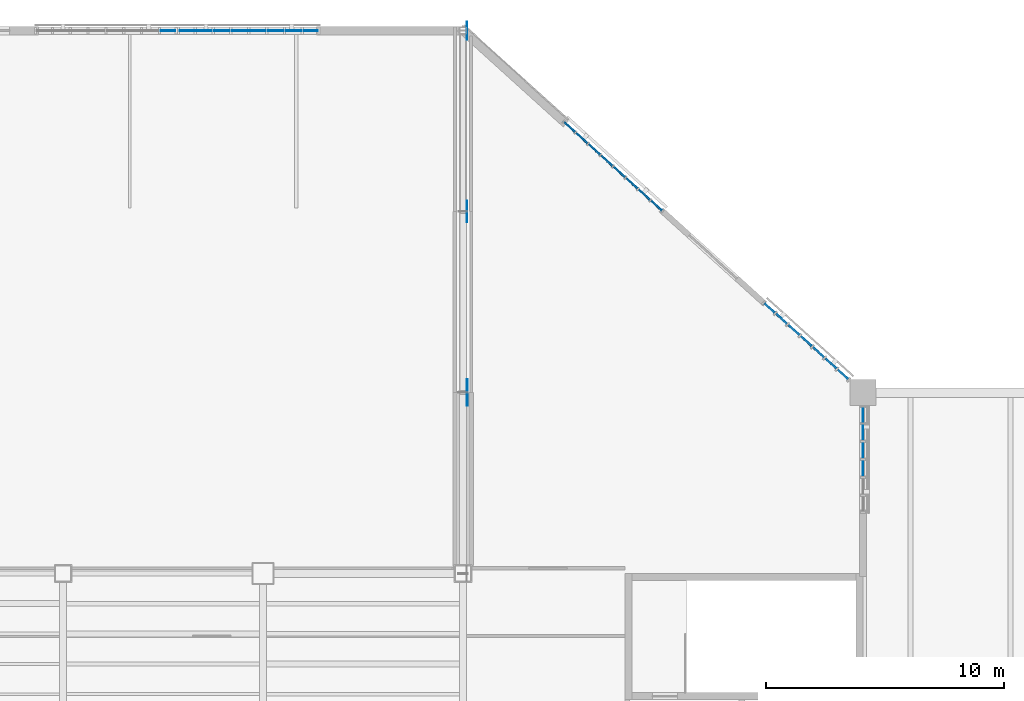
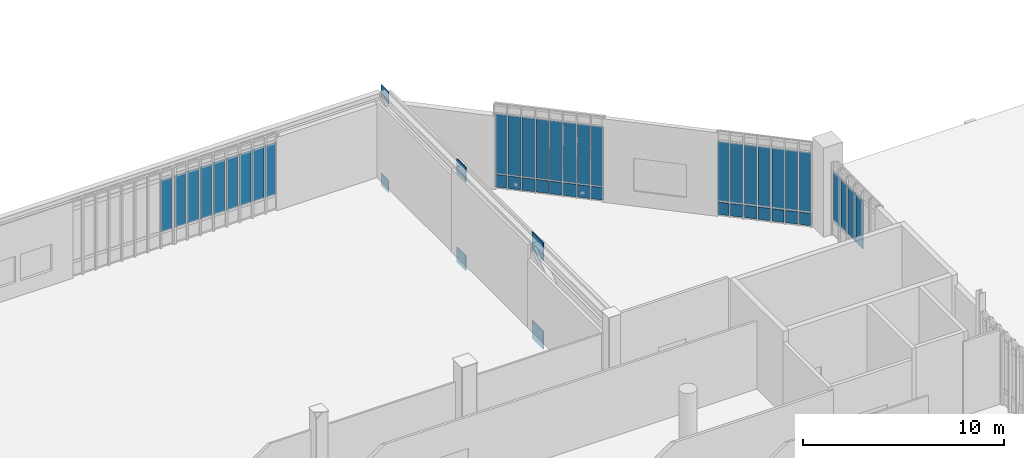
# One storey, part 84 of 135: 49 plates, 5 elements without a shape of their own.
"""IFC4 building model written with IfcOpenShell, lengths in metres."""

from ifc_helpers import new_model, si_unit, direction, frame, origin, origin_2d, place, context, subcontext, project, spatial, rectangle, extrude, material, layer, layer_set, type_object, element, aggregate, save


model = new_model("IFC4")

# Units and contexts
model_context = context("Model", 3, precision=1e-05, world=origin(), true_north=direction((0.0, 1.0)))
body_context = subcontext(model_context, "Body", "Model", "MODEL_VIEW")
ifc_project = project(units=[si_unit("LENGTHUNIT", "METRE"), si_unit("AREAUNIT", "SQUARE_METRE"), si_unit("VOLUMEUNIT", "CUBIC_METRE"), si_unit("PLANEANGLEUNIT", "RADIAN"), si_unit("MASSUNIT", "GRAM", prefix="KILO")], contexts=[model_context])

# Site, building, storey
site_placement = place(None, origin())
site = spatial("IfcSite", under=ifc_project, at=site_placement, CompositionType="ELEMENT")
building_placement = place(site_placement, origin())
building = spatial("IfcBuilding", under=site, at=building_placement, Name="Larkvane Passage Sports Hall", CompositionType="ELEMENT")
storey_placement = place(building_placement, frame((0.0, 0.0, 16.800048828125)))
storey = spatial("IfcBuildingStorey", under=building, at=storey_placement, Name="L03", CompositionType="ELEMENT", Elevation=16.800048828125)

# Curtain wall, plates
ifc_material_1 = material(Name="Thermally broken aluminium and low-E glazing", Category="aluminium")
curtain_wall_type_1 = type_object("IfcCurtainWallType", Name="CW-UNIT-COURT", PredefinedType="USERDEFINED", material=ifc_material_1)
curtain_wall_1_placement = place(storey_placement, origin())
curtain_wall_1 = element("IfcCurtainWall", 1, at=curtain_wall_1_placement, inside=storey, type_object=curtain_wall_type_1, Name="Curtain wall CW5-L03-140", ObjectType="UNITISED CURTAIN WALL", PredefinedType="USERDEFINED")
ifc_material_2 = material(Name="Insulated aluminium spandrel panel", Category="aluminium")
ifc_layer_1 = layer(ifc_material_2, 0.06494140625)
ifc_layer_set_1 = layer_set([ifc_layer_1], Name="Insulated aluminium spandrel panel")
plate_type_1 = type_object("IfcPlateType", Name="CWP-SPD-65", PredefinedType="CURTAIN_PANEL", material=ifc_layer_set_1)
plate_1_placement = place(storey_placement, frame((81.273681640625, 110.3525390625, 0.06005859375), z_axis=(0.0, 0.0, 1.0), x_axis=(0.741535779122, -0.670913323971, 0.0)))
plate_1 = element("IfcPlate", 2, at=plate_1_placement, type_object=plate_type_1, Name="CW-01 panel 1.1", PredefinedType="CURTAIN_PANEL", context=body_context, shape_type="SweptSolid", body=[
    extrude(rectangle(XDim=0.617919921875, YDim=0.06494140625, at=origin_2d()), origin(), (0.0, 0.0, 1.0), 0.760009765625),
])
plate_2_placement = place(storey_placement, frame((81.78759765625, 109.887451171875, 0.06005859375), z_axis=(0.0, 0.0, 1.0), x_axis=(0.741535779122, -0.670913323971, 0.0)))
plate_2 = element("IfcPlate", 3, at=plate_2_placement, type_object=plate_type_1, Name="CW-01 panel 2.1", PredefinedType="CURTAIN_PANEL", context=body_context, shape_type="SweptSolid", body=[
    extrude(rectangle(XDim=0.64794921875, YDim=0.06494140625, at=origin_2d()), origin(), (0.0, 0.0, 1.0), 0.760009765625),
])
plate_3_placement = place(storey_placement, frame((82.3125, 109.41259765625, 0.06005859375), z_axis=(0.0, 0.0, 1.0), x_axis=(0.741535779122, -0.670913323971, 0.0)))
plate_3 = element("IfcPlate", 4, at=plate_3_placement, type_object=plate_type_1, Name="CW-01 panel 3.1", PredefinedType="CURTAIN_PANEL", context=body_context, shape_type="SweptSolid", body=[
    extrude(rectangle(XDim=0.64794921875, YDim=0.06494140625, at=origin_2d()), origin(), (0.0, 0.0, 1.0), 0.760009765625),
])
plate_4_placement = place(storey_placement, frame((82.83740234375, 108.9375, 0.06005859375), z_axis=(0.0, 0.0, 1.0), x_axis=(0.741535779122, -0.670913323971, 0.0)))
plate_4 = element("IfcPlate", 5, at=plate_4_placement, type_object=plate_type_1, Name="CW-01 panel 4.1", PredefinedType="CURTAIN_PANEL", context=body_context, shape_type="SweptSolid", body=[
    extrude(rectangle(XDim=0.64794921875, YDim=0.06494140625, at=origin_2d()), origin(), (0.0, 0.0, 1.0), 0.760009765625),
])
plate_5_placement = place(storey_placement, frame((83.362548828125, 108.46240234375, 0.06005859375), z_axis=(0.0, 0.0, 1.0), x_axis=(0.741535779122, -0.670913323971, 0.0)))
plate_5 = element("IfcPlate", 6, at=plate_5_placement, type_object=plate_type_1, Name="CW-01 panel 5.1", PredefinedType="CURTAIN_PANEL", context=body_context, shape_type="SweptSolid", body=[
    extrude(rectangle(XDim=0.64794921875, YDim=0.06494140625, at=origin_2d()), origin(), (0.0, 0.0, 1.0), 0.760009765625),
])
plate_6_placement = place(storey_placement, frame((83.887451171875, 107.987548828125, 0.06005859375), z_axis=(0.0, 0.0, 1.0), x_axis=(0.741535779122, -0.670913323971, 0.0)))
plate_6 = element("IfcPlate", 7, at=plate_6_placement, type_object=plate_type_1, Name="CW-01 panel 6.1", PredefinedType="CURTAIN_PANEL", context=body_context, shape_type="SweptSolid", body=[
    extrude(rectangle(XDim=0.64794921875, YDim=0.06494140625, at=origin_2d()), origin(), (0.0, 0.0, 1.0), 0.760009765625),
])
plate_7_placement = place(storey_placement, frame((84.41259765625, 107.512451171875, 0.06005859375), z_axis=(0.0, 0.0, 1.0), x_axis=(0.741535779122, -0.670913323971, 0.0)))
plate_7 = element("IfcPlate", 8, at=plate_7_placement, type_object=plate_type_1, Name="CW-01 panel 7.1", PredefinedType="CURTAIN_PANEL", context=body_context, shape_type="SweptSolid", body=[
    extrude(rectangle(XDim=0.64794921875, YDim=0.06494140625, at=origin_2d()), origin(), (0.0, 0.0, 1.0), 0.760009765625),
])
plate_8_placement = place(storey_placement, frame((84.92626953125, 107.047607421875, 0.06005859375), z_axis=(0.0, 0.0, 1.0), x_axis=(0.741535779122, -0.670913323971, 0.0)))
plate_8 = element("IfcPlate", 9, at=plate_8_placement, type_object=plate_type_1, Name="CW-01 panel 8.1", PredefinedType="CURTAIN_PANEL", context=body_context, shape_type="SweptSolid", body=[
    extrude(rectangle(XDim=0.617919921875, YDim=0.06494140625, at=origin_2d()), origin(), (0.0, 0.0, 1.0), 0.760009765625),
])

curtain_wall_type_2 = type_object("IfcCurtainWallType", Name="CW-UNIT-VEIL", PredefinedType="USERDEFINED", material=ifc_material_1)
curtain_wall_2_placement = place(storey_placement, origin())
curtain_wall_2 = element("IfcCurtainWall", 10, at=curtain_wall_2_placement, inside=storey, type_object=curtain_wall_type_2, Name="Curtain wall CW5-L03-141", ObjectType="UNITISED CURTAIN WALL", PredefinedType="USERDEFINED")
ifc_material_3 = material(Name="Mineral-wool insulated spandrel cassette")
ifc_layer_2 = layer(ifc_material_3, 0.0849609375)
ifc_layer_set_2 = layer_set([ifc_layer_2], Name="Mineral-wool insulated spandrel cassette")
plate_type_2 = type_object("IfcPlateType", Name="CWP-SPD-85", PredefinedType="CURTAIN_PANEL", material=ifc_layer_set_2)
plate_9_placement = place(storey_placement, frame((89.672119140625, 102.75390625, 0.06982421875), z_axis=(0.0, 0.0, 1.0), x_axis=(0.741533841653, -0.670915465378, 0.0)))
plate_9 = element("IfcPlate", 11, at=plate_9_placement, type_object=plate_type_2, Name="CW-02 panel 1.1", PredefinedType="CURTAIN_PANEL", context=body_context, shape_type="SweptSolid", body=[
    extrude(rectangle(XDim=0.59375, YDim=0.0849609375, at=origin_2d()), origin(), (0.0, 0.0, 1.0), 0.7451171875),
])
plate_10_placement = place(storey_placement, frame((90.17724609375, 102.296875, 0.06982421875), z_axis=(0.0, 0.0, 1.0), x_axis=(0.741533841653, -0.670915465378, 0.0)))
plate_10 = element("IfcPlate", 12, at=plate_10_placement, type_object=plate_type_2, Name="CW-02 panel 2.1", PredefinedType="CURTAIN_PANEL", context=body_context, shape_type="SweptSolid", body=[
    extrude(rectangle(XDim=0.628662109375, YDim=0.0849609375, at=origin_2d()), origin(), (0.0, 0.0, 1.0), 0.7451171875),
])
plate_11_placement = place(storey_placement, frame((90.6953125, 101.828125, 0.06982421875), z_axis=(0.0, 0.0, 1.0), x_axis=(0.741533841653, -0.670915465378, 0.0)))
plate_11 = element("IfcPlate", 13, at=plate_11_placement, type_object=plate_type_2, Name="CW-02 panel 3.1", PredefinedType="CURTAIN_PANEL", context=body_context, shape_type="SweptSolid", body=[
    extrude(rectangle(XDim=0.628662109375, YDim=0.0849609375, at=origin_2d()), origin(), (0.0, 0.0, 1.0), 0.7451171875),
])
plate_12_placement = place(storey_placement, frame((91.21337890625, 101.359130859375, 0.06982421875), z_axis=(0.0, 0.0, 1.0), x_axis=(0.741533841653, -0.670915465378, 0.0)))
plate_12 = element("IfcPlate", 14, at=plate_12_placement, type_object=plate_type_2, Name="CW-02 panel 4.1", PredefinedType="CURTAIN_PANEL", context=body_context, shape_type="SweptSolid", body=[
    extrude(rectangle(XDim=0.628662109375, YDim=0.0849609375, at=origin_2d()), origin(), (0.0, 0.0, 1.0), 0.7451171875),
])
plate_13_placement = place(storey_placement, frame((91.731689453125, 100.890380859375, 0.06982421875), z_axis=(0.0, 0.0, 1.0), x_axis=(0.741533841653, -0.670915465378, 0.0)))
plate_13 = element("IfcPlate", 15, at=plate_13_placement, type_object=plate_type_2, Name="CW-02 panel 5.1", PredefinedType="CURTAIN_PANEL", context=body_context, shape_type="SweptSolid", body=[
    extrude(rectangle(XDim=0.628662109375, YDim=0.0849609375, at=origin_2d()), origin(), (0.0, 0.0, 1.0), 0.7451171875),
])
plate_14_placement = place(storey_placement, frame((92.249755859375, 100.421630859375, 0.06982421875), z_axis=(0.0, 0.0, 1.0), x_axis=(0.741533841653, -0.670915465378, 0.0)))
plate_14 = element("IfcPlate", 16, at=plate_14_placement, type_object=plate_type_2, Name="CW-02 panel 6.1", PredefinedType="CURTAIN_PANEL", context=body_context, shape_type="SweptSolid", body=[
    extrude(rectangle(XDim=0.628662109375, YDim=0.0849609375, at=origin_2d()), origin(), (0.0, 0.0, 1.0), 0.7451171875),
])
plate_15_placement = place(storey_placement, frame((92.7548828125, 99.964599609375, 0.06982421875), z_axis=(0.0, 0.0, 1.0), x_axis=(0.741533841653, -0.670915465378, 0.0)))
plate_15 = element("IfcPlate", 17, at=plate_15_placement, type_object=plate_type_2, Name="CW-02 panel 7.1", PredefinedType="CURTAIN_PANEL", context=body_context, shape_type="SweptSolid", body=[
    extrude(rectangle(XDim=0.59375, YDim=0.0849609375, at=origin_2d()), origin(), (0.0, 0.0, 1.0), 0.7451171875),
])

# Plate
ifc_material_4 = material(Name="Solar-control low-E double glazing", Category="glass")
ifc_layer_3 = layer(ifc_material_4, 0.028076171875)
ifc_layer_set_3 = layer_set([ifc_layer_3], Name="Solar-control low-E double glazing")
plate_type_3 = type_object("IfcPlateType", Name="CWP-VIS-28", PredefinedType="CURTAIN_PANEL", material=ifc_layer_set_3)
plate_16_placement = place(storey_placement, frame((81.273681640625, 110.3525390625, 0.8798828125), z_axis=(0.0, 0.0, 1.0), x_axis=(0.741535779122, -0.670913323971, 0.0)))
plate_16 = element("IfcPlate", 18, at=plate_16_placement, type_object=plate_type_3, Name="CW-01 panel 1.2", PredefinedType="CURTAIN_PANEL", context=body_context, shape_type="SweptSolid", body=[
    extrude(rectangle(XDim=0.617919921875, YDim=0.028076171875, at=origin_2d()), origin(), (0.0, 0.0, 1.0), 3.610107421875),
])

plate_17_placement = place(storey_placement, frame((81.78759765625, 109.887451171875, 0.8798828125), z_axis=(0.0, 0.0, 1.0), x_axis=(0.741535779122, -0.670913323971, 0.0)))
plate_17 = element("IfcPlate", 19, at=plate_17_placement, type_object=plate_type_3, Name="CW-01 panel 2.2", PredefinedType="CURTAIN_PANEL", context=body_context, shape_type="SweptSolid", body=[
    extrude(rectangle(XDim=0.64794921875, YDim=0.028076171875, at=origin_2d()), origin(), (0.0, 0.0, 1.0), 3.610107421875),
])

plate_18_placement = place(storey_placement, frame((82.3125, 109.41259765625, 0.8798828125), z_axis=(0.0, 0.0, 1.0), x_axis=(0.741535779122, -0.670913323971, 0.0)))
plate_18 = element("IfcPlate", 20, at=plate_18_placement, type_object=plate_type_3, Name="CW-01 panel 3.2", PredefinedType="CURTAIN_PANEL", context=body_context, shape_type="SweptSolid", body=[
    extrude(rectangle(XDim=0.64794921875, YDim=0.028076171875, at=origin_2d()), origin(), (0.0, 0.0, 1.0), 3.610107421875),
])

plate_19_placement = place(storey_placement, frame((82.83740234375, 108.9375, 0.8798828125), z_axis=(0.0, 0.0, 1.0), x_axis=(0.741535779122, -0.670913323971, 0.0)))
plate_19 = element("IfcPlate", 21, at=plate_19_placement, type_object=plate_type_3, Name="CW-01 panel 4.2", PredefinedType="CURTAIN_PANEL", context=body_context, shape_type="SweptSolid", body=[
    extrude(rectangle(XDim=0.64794921875, YDim=0.028076171875, at=origin_2d()), origin(), (0.0, 0.0, 1.0), 3.610107421875),
])

plate_20_placement = place(storey_placement, frame((83.362548828125, 108.46240234375, 0.8798828125), z_axis=(0.0, 0.0, 1.0), x_axis=(0.741535779122, -0.670913323971, 0.0)))
plate_20 = element("IfcPlate", 22, at=plate_20_placement, type_object=plate_type_3, Name="CW-01 panel 5.2", PredefinedType="CURTAIN_PANEL", context=body_context, shape_type="SweptSolid", body=[
    extrude(rectangle(XDim=0.64794921875, YDim=0.028076171875, at=origin_2d()), origin(), (0.0, 0.0, 1.0), 3.610107421875),
])

plate_21_placement = place(storey_placement, frame((83.887451171875, 107.987548828125, 0.8798828125), z_axis=(0.0, 0.0, 1.0), x_axis=(0.741535779122, -0.670913323971, 0.0)))
plate_21 = element("IfcPlate", 23, at=plate_21_placement, type_object=plate_type_3, Name="CW-01 panel 6.2", PredefinedType="CURTAIN_PANEL", context=body_context, shape_type="SweptSolid", body=[
    extrude(rectangle(XDim=0.64794921875, YDim=0.028076171875, at=origin_2d()), origin(), (0.0, 0.0, 1.0), 3.610107421875),
])

plate_22_placement = place(storey_placement, frame((84.41259765625, 107.512451171875, 0.8798828125), z_axis=(0.0, 0.0, 1.0), x_axis=(0.741535779122, -0.670913323971, 0.0)))
plate_22 = element("IfcPlate", 24, at=plate_22_placement, type_object=plate_type_3, Name="CW-01 panel 7.2", PredefinedType="CURTAIN_PANEL", context=body_context, shape_type="SweptSolid", body=[
    extrude(rectangle(XDim=0.64794921875, YDim=0.028076171875, at=origin_2d()), origin(), (0.0, 0.0, 1.0), 3.610107421875),
])

plate_23_placement = place(storey_placement, frame((84.92626953125, 107.047607421875, 0.8798828125), z_axis=(0.0, 0.0, 1.0), x_axis=(0.741535779122, -0.670913323971, 0.0)))
plate_23 = element("IfcPlate", 25, at=plate_23_placement, type_object=plate_type_3, Name="CW-01 panel 8.2", PredefinedType="CURTAIN_PANEL", context=body_context, shape_type="SweptSolid", body=[
    extrude(rectangle(XDim=0.617919921875, YDim=0.028076171875, at=origin_2d()), origin(), (0.0, 0.0, 1.0), 3.610107421875),
])

aggregate(curtain_wall_1, [plate_1, plate_16, plate_2, plate_17, plate_3, plate_18, plate_4, plate_19, plate_5, plate_20, plate_6, plate_21, plate_7, plate_22, plate_8, plate_23])

ifc_material_5 = material(Name="Laminated acoustic low-E glazing", Category="glass")
ifc_layer_4 = layer(ifc_material_5, 0.031982421875)
ifc_layer_set_4 = layer_set([ifc_layer_4], Name="Laminated acoustic low-E glazing")
plate_type_4 = type_object("IfcPlateType", Name="CWP-VIS-32", PredefinedType="CURTAIN_PANEL", material=ifc_layer_set_4)
plate_24_placement = place(storey_placement, frame((89.672119140625, 102.75390625, 0.885009765625), z_axis=(0.0, 0.0, 1.0), x_axis=(0.741533841653, -0.670915465378, 0.0)))
plate_24 = element("IfcPlate", 26, at=plate_24_placement, type_object=plate_type_4, Name="CW-02 panel 1.2", PredefinedType="CURTAIN_PANEL", context=body_context, shape_type="SweptSolid", body=[
    extrude(rectangle(XDim=0.59375, YDim=0.031982421875, at=origin_2d()), origin(), (0.0, 0.0, 1.0), 3.60009765625),
])

plate_25_placement = place(storey_placement, frame((90.17724609375, 102.296875, 0.885009765625), z_axis=(0.0, 0.0, 1.0), x_axis=(0.741533841653, -0.670915465378, 0.0)))
plate_25 = element("IfcPlate", 27, at=plate_25_placement, type_object=plate_type_4, Name="CW-02 panel 2.2", PredefinedType="CURTAIN_PANEL", context=body_context, shape_type="SweptSolid", body=[
    extrude(rectangle(XDim=0.628662109375, YDim=0.031982421875, at=origin_2d()), origin(), (0.0, 0.0, 1.0), 3.60009765625),
])

plate_26_placement = place(storey_placement, frame((90.6953125, 101.828125, 0.885009765625), z_axis=(0.0, 0.0, 1.0), x_axis=(0.741533841653, -0.670915465378, 0.0)))
plate_26 = element("IfcPlate", 28, at=plate_26_placement, type_object=plate_type_4, Name="CW-02 panel 3.2", PredefinedType="CURTAIN_PANEL", context=body_context, shape_type="SweptSolid", body=[
    extrude(rectangle(XDim=0.628662109375, YDim=0.031982421875, at=origin_2d()), origin(), (0.0, 0.0, 1.0), 3.60009765625),
])

plate_27_placement = place(storey_placement, frame((91.21337890625, 101.359130859375, 0.885009765625), z_axis=(0.0, 0.0, 1.0), x_axis=(0.741533841653, -0.670915465378, 0.0)))
plate_27 = element("IfcPlate", 29, at=plate_27_placement, type_object=plate_type_4, Name="CW-02 panel 4.2", PredefinedType="CURTAIN_PANEL", context=body_context, shape_type="SweptSolid", body=[
    extrude(rectangle(XDim=0.628662109375, YDim=0.031982421875, at=origin_2d()), origin(), (0.0, 0.0, 1.0), 3.60009765625),
])

plate_28_placement = place(storey_placement, frame((91.731689453125, 100.890380859375, 0.885009765625), z_axis=(0.0, 0.0, 1.0), x_axis=(0.741533841653, -0.670915465378, 0.0)))
plate_28 = element("IfcPlate", 30, at=plate_28_placement, type_object=plate_type_4, Name="CW-02 panel 5.2", PredefinedType="CURTAIN_PANEL", context=body_context, shape_type="SweptSolid", body=[
    extrude(rectangle(XDim=0.628662109375, YDim=0.031982421875, at=origin_2d()), origin(), (0.0, 0.0, 1.0), 3.60009765625),
])

plate_29_placement = place(storey_placement, frame((92.249755859375, 100.421630859375, 0.885009765625), z_axis=(0.0, 0.0, 1.0), x_axis=(0.741533841653, -0.670915465378, 0.0)))
plate_29 = element("IfcPlate", 31, at=plate_29_placement, type_object=plate_type_4, Name="CW-02 panel 6.2", PredefinedType="CURTAIN_PANEL", context=body_context, shape_type="SweptSolid", body=[
    extrude(rectangle(XDim=0.628662109375, YDim=0.031982421875, at=origin_2d()), origin(), (0.0, 0.0, 1.0), 3.60009765625),
])

plate_30_placement = place(storey_placement, frame((92.7548828125, 99.964599609375, 0.885009765625), z_axis=(0.0, 0.0, 1.0), x_axis=(0.741533841653, -0.670915465378, 0.0)))
plate_30 = element("IfcPlate", 32, at=plate_30_placement, type_object=plate_type_4, Name="CW-02 panel 7.2", PredefinedType="CURTAIN_PANEL", context=body_context, shape_type="SweptSolid", body=[
    extrude(rectangle(XDim=0.59375, YDim=0.031982421875, at=origin_2d()), origin(), (0.0, 0.0, 1.0), 3.60009765625),
])

aggregate(curtain_wall_2, [plate_9, plate_24, plate_10, plate_25, plate_11, plate_26, plate_12, plate_27, plate_13, plate_28, plate_14, plate_29, plate_15, plate_30])

# Curtain wall, plate
curtain_wall_type_3 = type_object("IfcCurtainWallType", Name="CW-STICK-FOYER", PredefinedType="USERDEFINED", material=ifc_material_1)
curtain_wall_3_placement = place(storey_placement, origin())
curtain_wall_3 = element("IfcCurtainWall", 33, at=curtain_wall_3_placement, inside=storey, type_object=curtain_wall_type_3, Name="Curtain wall CW5-L03-138", ObjectType="STICK CURTAIN WALL", PredefinedType="USERDEFINED")
ifc_material_6 = material(Name="High-impact court low-E glazing", Category="glass")
ifc_layer_5 = layer(ifc_material_6, 0.035888671875)
ifc_layer_set_5 = layer_set([ifc_layer_5], Name="High-impact court low-E glazing")
plate_type_5 = type_object("IfcPlateType", Name="CWP-VIS-36", PredefinedType="CURTAIN_PANEL", material=ifc_layer_set_5)
plate_31_placement = place(storey_placement, frame((64.402587890625, 114.39990234375, 0.89501953125), z_axis=(0.0, 0.0, 1.0), x_axis=(1.0, 0.0, 0.0)))
plate_31 = element("IfcPlate", 34, at=plate_31_placement, type_object=plate_type_5, Name="CW-03 panel 8.2", PredefinedType="CURTAIN_PANEL", context=body_context, shape_type="SweptSolid", body=[
    extrude(rectangle(XDim=0.614990234375, YDim=0.035888671875, at=origin_2d()), origin(), (0.0, 0.0, 1.0), 3.157958984375),
])
aggregate(curtain_wall_3, [plate_31])

# Curtain wall, plates
curtain_wall_4_placement = place(storey_placement, origin())
curtain_wall_4 = element("IfcCurtainWall", 35, at=curtain_wall_4_placement, inside=storey, type_object=curtain_wall_type_3, Name="Curtain wall CW5-L03-142", ObjectType="STICK CURTAIN WALL", PredefinedType="USERDEFINED")
plate_32_placement = place(storey_placement, frame((93.60009765625, 98.25732421875, 0.89013671875), z_axis=(0.0, 0.0, 1.0), x_axis=(0.0, -1.0, 0.0)))
plate_32 = element("IfcPlate", 36, at=plate_32_placement, type_object=plate_type_5, Name="CW-03 panel 1.2", PredefinedType="CURTAIN_PANEL", context=body_context, shape_type="SweptSolid", body=[
    extrude(rectangle(XDim=0.633544921875, YDim=0.035888671875, at=origin_2d()), origin(), (0.0, 0.0, 1.0), 2.927978515625),
])
plate_33_placement = place(storey_placement, frame((93.60009765625, 97.52392578125, 0.89013671875), z_axis=(0.0, 0.0, 1.0), x_axis=(0.0, -1.0, 0.0)))
plate_33 = element("IfcPlate", 37, at=plate_33_placement, type_object=plate_type_5, Name="CW-03 panel 2.2", PredefinedType="CURTAIN_PANEL", context=body_context, shape_type="SweptSolid", body=[
    extrude(rectangle(XDim=0.67333984375, YDim=0.035888671875, at=origin_2d()), origin(), (0.0, 0.0, 1.0), 2.927978515625),
])
plate_34_placement = place(storey_placement, frame((93.60009765625, 96.770263671875, 0.89013671875), z_axis=(0.0, 0.0, 1.0), x_axis=(0.0, -1.0, 0.0)))
plate_34 = element("IfcPlate", 38, at=plate_34_placement, type_object=plate_type_5, Name="CW-03 panel 3.2", PredefinedType="CURTAIN_PANEL", context=body_context, shape_type="SweptSolid", body=[
    extrude(rectangle(XDim=0.67333984375, YDim=0.035888671875, at=origin_2d()), origin(), (0.0, 0.0, 1.0), 2.927978515625),
])
plate_35_placement = place(storey_placement, frame((93.60009765625, 96.016845703125, 0.89013671875), z_axis=(0.0, 0.0, 1.0), x_axis=(0.0, -1.0, 0.0)))
plate_35 = element("IfcPlate", 39, at=plate_35_placement, type_object=plate_type_5, Name="CW-03 panel 4.2", PredefinedType="CURTAIN_PANEL", context=body_context, shape_type="SweptSolid", body=[
    extrude(rectangle(XDim=0.67333984375, YDim=0.035888671875, at=origin_2d()), origin(), (0.0, 0.0, 1.0), 2.927978515625),
])
aggregate(curtain_wall_4, [plate_32, plate_33, plate_34, plate_35])

curtain_wall_type_4 = type_object("IfcCurtainWallType", Name="CW-CLINIC", PredefinedType="USERDEFINED", material=ifc_material_1)
curtain_wall_5_placement = place(storey_placement, origin())
curtain_wall_5 = element("IfcCurtainWall", 40, at=curtain_wall_5_placement, inside=storey, type_object=curtain_wall_type_4, Name="Curtain wall CW5-L03-139", ObjectType="UNITISED CURTAIN WALL", PredefinedType="USERDEFINED")
ifc_material_7 = material(Name="Triple-laminated typhoon glazing", Category="glass")
ifc_layer_6 = layer(ifc_material_7, 0.0419921875)
ifc_layer_set_6 = layer_set([ifc_layer_6], Name="Triple-laminated typhoon glazing")
plate_type_6 = type_object("IfcPlateType", Name="CWP-VIS-42", PredefinedType="CURTAIN_PANEL", material=ifc_layer_set_6)
plate_36_placement = place(storey_placement, frame((65.199951171875, 114.39990234375, 0.89990234375), z_axis=(0.0, 0.0, 1.0), x_axis=(1.0, 0.0, 0.0)))
plate_36 = element("IfcPlate", 41, at=plate_36_placement, type_object=plate_type_6, Name="CW-05 panel 1.2", PredefinedType="CURTAIN_PANEL", context=body_context, shape_type="SweptSolid", body=[
    extrude(rectangle(XDim=0.60009765625, YDim=0.0419921875, at=origin_2d()), origin(), (0.0, 0.0, 1.0), 3.14794921875),
])
plate_37_placement = place(storey_placement, frame((65.925048828125, 114.39990234375, 0.89990234375), z_axis=(0.0, 0.0, 1.0), x_axis=(1.0, 0.0, 0.0)))
plate_37 = element("IfcPlate", 42, at=plate_37_placement, type_object=plate_type_6, Name="CW-05 panel 2.2", PredefinedType="CURTAIN_PANEL", context=body_context, shape_type="SweptSolid", body=[
    extrude(rectangle(XDim=0.64990234375, YDim=0.0419921875, at=origin_2d()), origin(), (0.0, 0.0, 1.0), 3.14794921875),
])
plate_38_placement = place(storey_placement, frame((66.675048828125, 114.39990234375, 0.89990234375), z_axis=(0.0, 0.0, 1.0), x_axis=(1.0, 0.0, 0.0)))
plate_38 = element("IfcPlate", 43, at=plate_38_placement, type_object=plate_type_6, Name="CW-05 panel 3.2", PredefinedType="CURTAIN_PANEL", context=body_context, shape_type="SweptSolid", body=[
    extrude(rectangle(XDim=0.64990234375, YDim=0.0419921875, at=origin_2d()), origin(), (0.0, 0.0, 1.0), 3.14794921875),
])
plate_39_placement = place(storey_placement, frame((67.425048828125, 114.39990234375, 0.89990234375), z_axis=(0.0, 0.0, 1.0), x_axis=(1.0, 0.0, 0.0)))
plate_39 = element("IfcPlate", 44, at=plate_39_placement, type_object=plate_type_6, Name="CW-05 panel 4.2", PredefinedType="CURTAIN_PANEL", context=body_context, shape_type="SweptSolid", body=[
    extrude(rectangle(XDim=0.64990234375, YDim=0.0419921875, at=origin_2d()), origin(), (0.0, 0.0, 1.0), 3.14794921875),
])
plate_40_placement = place(storey_placement, frame((68.175048828125, 114.39990234375, 0.89990234375), z_axis=(0.0, 0.0, 1.0), x_axis=(1.0, 0.0, 0.0)))
plate_40 = element("IfcPlate", 45, at=plate_40_placement, type_object=plate_type_6, Name="CW-05 panel 5.2", PredefinedType="CURTAIN_PANEL", context=body_context, shape_type="SweptSolid", body=[
    extrude(rectangle(XDim=0.64990234375, YDim=0.0419921875, at=origin_2d()), origin(), (0.0, 0.0, 1.0), 3.14794921875),
])
plate_41_placement = place(storey_placement, frame((68.925048828125, 114.39990234375, 0.89990234375), z_axis=(0.0, 0.0, 1.0), x_axis=(1.0, 0.0, 0.0)))
plate_41 = element("IfcPlate", 46, at=plate_41_placement, type_object=plate_type_6, Name="CW-05 panel 6.2", PredefinedType="CURTAIN_PANEL", context=body_context, shape_type="SweptSolid", body=[
    extrude(rectangle(XDim=0.64990234375, YDim=0.0419921875, at=origin_2d()), origin(), (0.0, 0.0, 1.0), 3.14794921875),
])
plate_42_placement = place(storey_placement, frame((69.675048828125, 114.39990234375, 0.89990234375), z_axis=(0.0, 0.0, 1.0), x_axis=(1.0, 0.0, 0.0)))
plate_42 = element("IfcPlate", 47, at=plate_42_placement, type_object=plate_type_6, Name="CW-05 panel 7.2", PredefinedType="CURTAIN_PANEL", context=body_context, shape_type="SweptSolid", body=[
    extrude(rectangle(XDim=0.64990234375, YDim=0.0419921875, at=origin_2d()), origin(), (0.0, 0.0, 1.0), 3.14794921875),
])
plate_43_placement = place(storey_placement, frame((70.39990234375, 114.39990234375, 0.89990234375), z_axis=(0.0, 0.0, 1.0), x_axis=(1.0, 0.0, 0.0)))
plate_43 = element("IfcPlate", 48, at=plate_43_placement, type_object=plate_type_6, Name="CW-05 panel 8.2", PredefinedType="CURTAIN_PANEL", context=body_context, shape_type="SweptSolid", body=[
    extrude(rectangle(XDim=0.60009765625, YDim=0.0419921875, at=origin_2d()), origin(), (0.0, 0.0, 1.0), 3.14794921875),
])
aggregate(curtain_wall_5, [plate_36, plate_37, plate_38, plate_39, plate_40, plate_41, plate_42, plate_43])

# Plates
ifc_material_8 = material(Name="Steel S460N", Category="steel")
ifc_layer_7 = layer(ifc_material_8, 0.02392578125)
ifc_layer_set_7 = layer_set([ifc_layer_7], Name="Steel S460N")
plate_type_7 = type_object("IfcPlateType", Name="PLT-GUS-24", PredefinedType="USERDEFINED", material=ifc_layer_set_7)
for number, where, z_axis, x_axis, name in (
    (49, (76.9619140625, 114.39990234375, -0.989013671875), (0.0, 0.0, 1.0), (0.0, 1.0, 0.0), "Truss node gusset plate ND-4B (CT-N3A-2)"),
    (50, (76.9619140625, 114.39990234375, 4.380859375), (0.0, 0.0, 1.0), (0.0, 1.0, 0.0), "Truss node gusset plate ND-4T (CT-N3A-2)"),
):
    element("IfcPlate", number, at=place(storey_placement, frame(where, z_axis=z_axis, x_axis=x_axis)), inside=storey, type_object=plate_type_7, Name=name, ObjectType="GUSSET PLATE", PredefinedType="USERDEFINED", context=body_context, shape_type="SweptSolid", body=[
        extrude(rectangle(XDim=0.75, YDim=0.02392578125, at=origin_2d()), origin(), (0.0, 0.0, 1.0), 0.75),
    ])
ifc_layer_8 = layer(ifc_material_8, 0.031982421875)
ifc_layer_set_8 = layer_set([ifc_layer_8], Name="Steel S460N")
plate_type_8 = type_object("IfcPlateType", Name="PLT-GUS-32", PredefinedType="USERDEFINED", material=ifc_layer_set_8)
for number, where, z_axis, x_axis, name in (
    (51, (76.966064453125, 106.800048828125, -1.06396484375), (0.0, 0.0, 1.0), (0.0, 1.0, 0.0), "Truss node gusset plate ND-3B (CT-N3A-2)"),
    (52, (76.966064453125, 106.800048828125, 4.305908203125), (0.0, 0.0, 1.0), (0.0, 1.0, 0.0), "Truss node gusset plate ND-3T (CT-N3A-2)"),
):
    element("IfcPlate", number, at=place(storey_placement, frame(where, z_axis=z_axis, x_axis=x_axis)), inside=storey, type_object=plate_type_8, Name=name, ObjectType="GUSSET PLATE", PredefinedType="USERDEFINED", context=body_context, shape_type="SweptSolid", body=[
        extrude(rectangle(XDim=0.89990234375, YDim=0.031982421875, at=origin_2d()), origin(), (0.0, 0.0, 1.0), 0.89990234375),
    ])
ifc_layer_9 = layer(ifc_material_8, 0.0400390625)
ifc_layer_set_9 = layer_set([ifc_layer_9], Name="Steel S460N")
plate_type_9 = type_object("IfcPlateType", Name="PLT-GUS-40", PredefinedType="USERDEFINED", material=ifc_layer_set_9)
for number, where, z_axis, x_axis, name in (
    (53, (76.969970703125, 99.199951171875, -1.1640625), (0.0, 0.0, 1.0), (0.0, 1.0, 0.0), "Truss node gusset plate ND-2B (CT-N3A-2)"),
    (54, (76.969970703125, 99.199951171875, 4.205810546875), (0.0, 0.0, 1.0), (0.0, 1.0, 0.0), "Truss node gusset plate ND-2T (CT-N3A-2)"),
):
    element("IfcPlate", number, at=place(storey_placement, frame(where, z_axis=z_axis, x_axis=x_axis)), inside=storey, type_object=plate_type_9, Name=name, ObjectType="GUSSET PLATE", PredefinedType="USERDEFINED", context=body_context, shape_type="SweptSolid", body=[
        extrude(rectangle(XDim=1.10009765625, YDim=0.0400390625, at=origin_2d()), origin(), (0.0, 0.0, 1.0), 1.10009765625),
    ])

save(model, "model.ifc")
